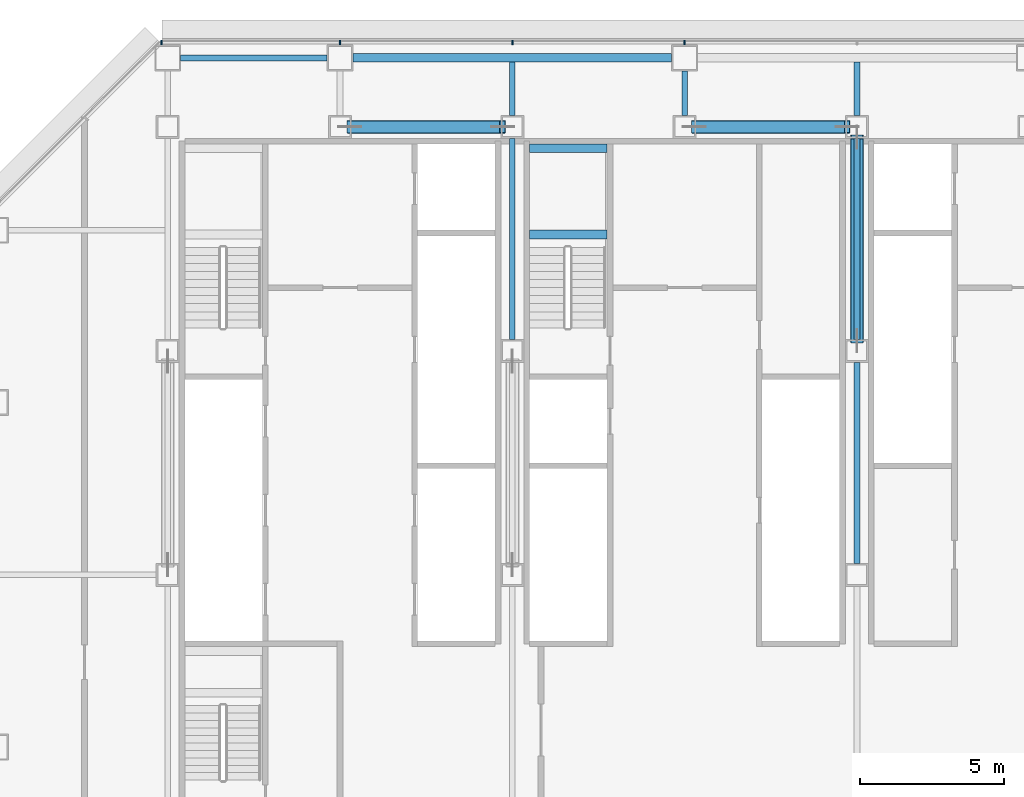
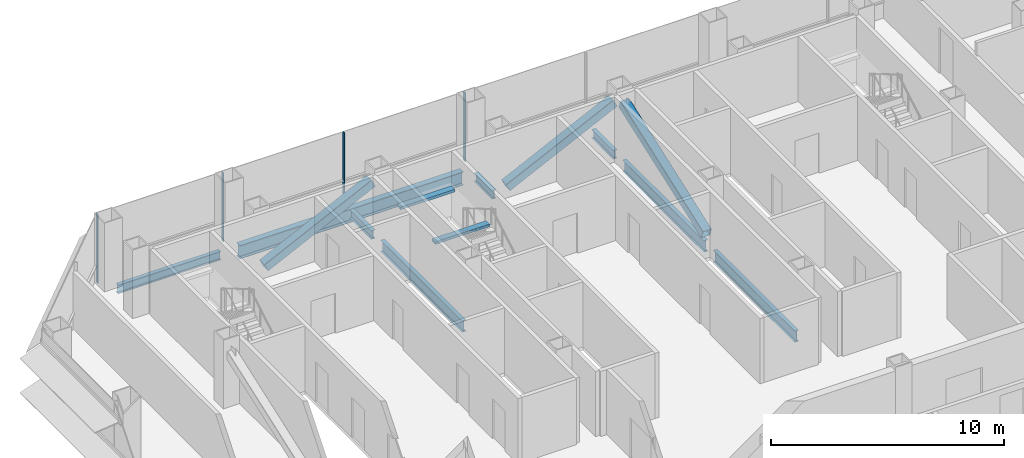
# One storey, part 12 of 26: 10 beams, 7 members, 1 element without a shape of its own.
"""IFC4 building model written with IfcOpenShell, lengths in metres."""

from ifc_helpers import new_model, si_unit, direction, frame, origin, origin_2d, place, context, subcontext, project, spatial, rectangle, hollow_rectangle, i_section, extrude, material, material_profile, profile_set, type_object, element, aggregate, save


model = new_model("IFC4")

# Units and contexts
model_context = context("Model", 3, precision=1e-05, world=origin(), true_north=direction((0.0, 1.0)))
body_context = subcontext(model_context, "Body", "Model", "MODEL_VIEW")
ifc_project = project(units=[si_unit("LENGTHUNIT", "METRE"), si_unit("AREAUNIT", "SQUARE_METRE"), si_unit("VOLUMEUNIT", "CUBIC_METRE"), si_unit("PLANEANGLEUNIT", "RADIAN"), si_unit("MASSUNIT", "GRAM", prefix="KILO")], contexts=[model_context])

# Site, building, storey
site_placement = place(None, origin())
site = spatial("IfcSite", under=ifc_project, at=site_placement, CompositionType="ELEMENT")
building_placement = place(site_placement, origin())
building = spatial("IfcBuilding", under=site, at=building_placement, Name="Sorahane Residences", CompositionType="ELEMENT")
storey_placement = place(building_placement, frame((0.0, 0.0, 64.199951171875)))
storey = spatial("IfcBuildingStorey", under=building, at=storey_placement, Name="L12", CompositionType="ELEMENT", Elevation=64.199951171875)

# Members
ifc_material_1 = material(Name="Steel Q355B", Category="steel")
ifc_material_profile_1 = material_profile(ifc_material_1, hollow_rectangle(XDim=0.449951171875, YDim=0.449951171875, WallThickness=0.02197265625, InnerFilletRadius=0.010986328125, OuterFilletRadius=0.032958984375, at=origin_2d()), Name="RHS 450x450x22")
ifc_profile_set_1 = profile_set([ifc_material_profile_1], Name="Steel Q355B")
member_type_1 = type_object("IfcMemberType", Name="Core brace RHS 450x450x22 Q355B", PredefinedType="BRACE", material=ifc_profile_set_1)
for number, where, z_axis, x_axis, name in (
    (1, (12.341064453125, 45.60009765625, 0.196533203125), (0.899894691922, 0.0, 0.436107261405), (0.0, 1.0, 0.0), "Core brace L12 y45.6-2"),
    (2, (24.341064453125, 45.60009765625, 0.196533203125), (0.899894691922, 0.0, 0.436107261405), (0.0, 1.0, 0.0), "Core brace L12 y45.6-4"),
):
    element("IfcMember", number, at=place(storey_placement, frame(where, z_axis=z_axis, x_axis=x_axis)), inside=storey, type_object=member_type_1, Name=name, PredefinedType="BRACE", context=body_context, shape_type="SweptSolid", body=[
        extrude(hollow_rectangle(XDim=0.449951171875, YDim=0.449951171875, WallThickness=0.02197265625, InnerFilletRadius=0.010986328125, OuterFilletRadius=0.032958984375, at=origin_2d()), origin(), (0.0, 0.0, 1.0), 5.909423828125),
    ])
member_1_placement = place(storey_placement, frame((30.0, 38.154296875, 0.20849609375), z_axis=(0.0, 0.940882869443, 0.338732085856), x_axis=(-1.0, 0.0, 0.0)))
element("IfcMember", 3, at=member_1_placement, inside=storey, type_object=member_type_1, Name="Core brace L12 x30-2", PredefinedType="BRACE", context=body_context, shape_type="SweptSolid", body=[
    extrude(hollow_rectangle(XDim=0.449951171875, YDim=0.449951171875, WallThickness=0.02197265625, InnerFilletRadius=0.010986328125, OuterFilletRadius=0.032958984375, at=origin_2d()), origin(), (0.0, 0.0, 1.0), 7.536865234375),
])

# Curtain wall, members
ifc_material_2 = material(Name="Dark low-e glass and black anodised aluminium", Category="aluminium")
curtain_wall_type = type_object("IfcCurtainWallType", Name="Curtain wall CW-1 Typical unitised wall", PredefinedType="NOTDEFINED", material=ifc_material_2)
curtain_wall_placement = place(storey_placement, origin())
curtain_wall = element("IfcCurtainWall", 4, at=curtain_wall_placement, inside=storey, type_object=curtain_wall_type, Name="CW-1 curtain wall L12 N1", PredefinedType="NOTDEFINED")
ifc_material_3 = material(Name="Black anodised aluminium", Category="aluminium")
ifc_material_profile_2 = material_profile(ifc_material_3, rectangle(XDim=0.159912109375, YDim=0.050048828125, at=origin_2d()), Name="Curtain wall mullion CW-1 black anodised aluminium 50x160")
ifc_profile_set_2 = profile_set([ifc_material_profile_2], Name="Black anodised aluminium")
member_type_2 = type_object("IfcMemberType", Name="Curtain wall mullion CW-1 black anodised aluminium 50x160", PredefinedType="MULLION", material=ifc_profile_set_2)
member_2_placement = place(storey_placement, frame((24.0, 48.5400390625, -0.179931640625), z_axis=(0.0, 0.0, 1.0), x_axis=(0.0, 1.0, 0.0)))
member_2 = element("IfcMember", 5, at=member_2_placement, type_object=member_type_2, Name="CW-1 mullion L12 N1.7", PredefinedType="MULLION", context=body_context, shape_type="SweptSolid", body=[
    extrude(rectangle(XDim=0.159912109375, YDim=0.050048828125, at=origin_2d()), origin(), (0.0, 0.0, 1.0), 3.60009765625),
])
member_3_placement = place(storey_placement, frame((18.0, 48.5400390625, -0.179931640625), z_axis=(0.0, 0.0, 1.0), x_axis=(0.0, 1.0, 0.0)))
member_3 = element("IfcMember", 6, at=member_3_placement, type_object=member_type_2, Name="CW-1 mullion L12 N1.8", PredefinedType="MULLION", context=body_context, shape_type="SweptSolid", body=[
    extrude(rectangle(XDim=0.159912109375, YDim=0.050048828125, at=origin_2d()), origin(), (0.0, 0.0, 1.0), 3.60009765625),
])
member_4_placement = place(storey_placement, frame((12.0, 48.5400390625, -0.179931640625), z_axis=(0.0, 0.0, 1.0), x_axis=(0.0, 1.0, 0.0)))
member_4 = element("IfcMember", 7, at=member_4_placement, type_object=member_type_2, Name="CW-1 mullion L12 N1.9", PredefinedType="MULLION", context=body_context, shape_type="SweptSolid", body=[
    extrude(rectangle(XDim=0.159912109375, YDim=0.050048828125, at=origin_2d()), origin(), (0.0, 0.0, 1.0), 3.60009765625),
])
member_5_placement = place(storey_placement, frame((5.7763671875, 48.5400390625, -0.179931640625), z_axis=(0.0, 0.0, 1.0), x_axis=(0.0, 1.0, 0.0)))
member_5 = element("IfcMember", 8, at=member_5_placement, type_object=member_type_2, Name="CW-1 mullion L12 N1.10", PredefinedType="MULLION", context=body_context, shape_type="SweptSolid", body=[
    extrude(rectangle(XDim=0.159912109375, YDim=0.050048828125, at=origin_2d()), origin(), (0.0, 0.0, 1.0), 3.60009765625),
])
aggregate(curtain_wall, [member_2, member_3, member_4, member_5])

# Beams
ifc_material_4 = material(Name="Concrete C40", Category="concrete")
ifc_material_profile_3 = material_profile(ifc_material_4, rectangle(XDim=0.300048828125, YDim=0.139892578125, at=origin_2d()), Name="300x140")
ifc_profile_set_3 = profile_set([ifc_material_profile_3], Name="Concrete C40")
beam_type_1 = type_object("IfcBeamType", Name="RC landing beam 300 x 140 Concrete C40", PredefinedType="BEAM", material=ifc_profile_set_3)
for number, where, z_axis, x_axis, name in (
    (9, (18.60009765625, 41.85009765625, 1.530029296875), (1.0, 0.0, 0.0), (0.0, 1.0, 0.0), "Landing beam"),
    (10, (18.60009765625, 44.85009765625, 1.530029296875), (1.0, 0.0, 0.0), (0.0, 1.0, 0.0), "Landing beam"),
):
    element("IfcBeam", number, at=place(storey_placement, frame(where, z_axis=z_axis, x_axis=x_axis)), inside=storey, type_object=beam_type_1, Name=name, PredefinedType="BEAM", context=body_context, shape_type="SweptSolid", body=[
        extrude(rectangle(XDim=0.300048828125, YDim=0.139892578125, at=origin_2d()), origin(), (0.0, 0.0, 1.0), 2.699951171875),
    ])
ifc_material_5 = material(Name="Steel Q355B", Category="steel")
ifc_material_profile_4 = material_profile(ifc_material_5, i_section(OverallWidth=0.199951171875, OverallDepth=0.449951171875, WebThickness=0.009033203125, FlangeThickness=0.013916015625, FilletRadius=0.02001953125, at=origin_2d()), Name="HN 450x200x9x14")
ifc_profile_set_4 = profile_set([ifc_material_profile_4], Name="Steel Q355B")
beam_type_2 = type_object("IfcBeamType", Name="Steel floor beam HN 450x200x9x14 Q355B", PredefinedType="BEAM", material=ifc_profile_set_4)
beam_1_placement = place(storey_placement, frame((6.449951171875, 48.0, -0.405029296875), z_axis=(1.0, 0.0, 0.0), x_axis=(0.0, 1.0, 0.0)))
element("IfcBeam", 11, at=beam_1_placement, inside=storey, type_object=beam_type_2, Name="Beam L12 012", PredefinedType="BEAM", context=body_context, shape_type="SweptSolid", body=[
    extrude(i_section(OverallWidth=0.199951171875, OverallDepth=0.449951171875, WebThickness=0.009033203125, FlangeThickness=0.013916015625, FilletRadius=0.02001953125, at=origin_2d()), origin(), (0.0, 0.0, 1.0), 5.10009765625),
])
beam_2_placement = place(storey_placement, frame((18.0, 46.0, -0.405029296875), z_axis=(0.0, 1.0, 0.0), x_axis=(-1.0, 0.0, 0.0)))
element("IfcBeam", 12, at=beam_2_placement, inside=storey, type_object=beam_type_2, Name="Beam L12 034", PredefinedType="BEAM", context=body_context, shape_type="SweptSolid", body=[
    extrude(i_section(OverallWidth=0.199951171875, OverallDepth=0.449951171875, WebThickness=0.009033203125, FlangeThickness=0.013916015625, FilletRadius=0.02001953125, at=origin_2d()), origin(), (0.0, 0.0, 1.0), 1.85009765625),
])
beam_3_placement = place(storey_placement, frame((24.0, 46.0, -0.405029296875), z_axis=(0.0, 1.0, 0.0), x_axis=(-1.0, 0.0, 0.0)))
element("IfcBeam", 13, at=beam_3_placement, inside=storey, type_object=beam_type_2, Name="Beam L12 036", PredefinedType="BEAM", context=body_context, shape_type="SweptSolid", body=[
    extrude(i_section(OverallWidth=0.199951171875, OverallDepth=0.449951171875, WebThickness=0.009033203125, FlangeThickness=0.013916015625, FilletRadius=0.02001953125, at=origin_2d()), origin(), (0.0, 0.0, 1.0), 1.550048828125),
])
beam_4_placement = place(storey_placement, frame((30.0, 46.0, -0.405029296875), z_axis=(0.0, 1.0, 0.0), x_axis=(-1.0, 0.0, 0.0)))
element("IfcBeam", 14, at=beam_4_placement, inside=storey, type_object=beam_type_2, Name="Beam L12 042", PredefinedType="BEAM", context=body_context, shape_type="SweptSolid", body=[
    extrude(i_section(OverallWidth=0.199951171875, OverallDepth=0.449951171875, WebThickness=0.009033203125, FlangeThickness=0.013916015625, FilletRadius=0.02001953125, at=origin_2d()), origin(), (0.0, 0.0, 1.0), 1.85009765625),
])
ifc_material_6 = material(Name="Steel Q355B", Category="steel")
ifc_material_profile_5 = material_profile(ifc_material_6, i_section(OverallWidth=0.199951171875, OverallDepth=0.60009765625, WebThickness=0.010986328125, FlangeThickness=0.01708984375, FilletRadius=0.02392578125, at=origin_2d()), Name="HN 600x200x11x17")
ifc_profile_set_5 = profile_set([ifc_material_profile_5], Name="Steel Q355B")
beam_type_3 = type_object("IfcBeamType", Name="Steel floor beam HN 600x200x11x17 Q355B", PredefinedType="BEAM", material=ifc_profile_set_5)
for number, where, z_axis, x_axis, name in (
    (15, (18.0, 38.199951171875, -0.47998046875), (0.0, 1.0, 0.0), (-1.0, 0.0, 0.0), "Beam L12 033"),
    (16, (30.0, 30.39990234375, -0.47998046875), (0.0, 1.0, 0.0), (-1.0, 0.0, 0.0), "Beam L12 040"),
    (17, (30.0, 38.199951171875, -0.47998046875), (0.0, 1.0, 0.0), (-1.0, 0.0, 0.0), "Beam L12 041"),
):
    element("IfcBeam", number, at=place(storey_placement, frame(where, z_axis=z_axis, x_axis=x_axis)), inside=storey, type_object=beam_type_3, Name=name, PredefinedType="BEAM", context=body_context, shape_type="SweptSolid", body=[
        extrude(i_section(OverallWidth=0.199951171875, OverallDepth=0.60009765625, WebThickness=0.010986328125, FlangeThickness=0.01708984375, FilletRadius=0.02392578125, at=origin_2d()), origin(), (0.0, 0.0, 1.0), 7.0),
    ])
ifc_material_7 = material(Name="Steel Q355B", Category="steel")
ifc_material_profile_6 = material_profile(ifc_material_7, i_section(OverallWidth=0.300048828125, OverallDepth=0.699951171875, WebThickness=0.012939453125, FlangeThickness=0.02392578125, FilletRadius=0.028076171875, at=origin_2d()), Name="HN 700x300x13x24")
ifc_profile_set_6 = profile_set([ifc_material_profile_6], Name="Steel Q355B")
beam_type_4 = type_object("IfcBeamType", Name="Steel floor beam HN 700x300x13x24 Q355B", PredefinedType="BEAM", material=ifc_profile_set_6)
beam_5_placement = place(storey_placement, frame((12.449951171875, 48.0, -0.530029296875), z_axis=(1.0, 0.0, 0.0), x_axis=(0.0, 1.0, 0.0)))
element("IfcBeam", 18, at=beam_5_placement, inside=storey, type_object=beam_type_4, Name="Beam L12 013", PredefinedType="BEAM", context=body_context, shape_type="SweptSolid", body=[
    extrude(i_section(OverallWidth=0.300048828125, OverallDepth=0.699951171875, WebThickness=0.012939453125, FlangeThickness=0.02392578125, FilletRadius=0.028076171875, at=origin_2d()), origin(), (0.0, 0.0, 1.0), 11.10009765625),
])

save(model, "model.ifc")
